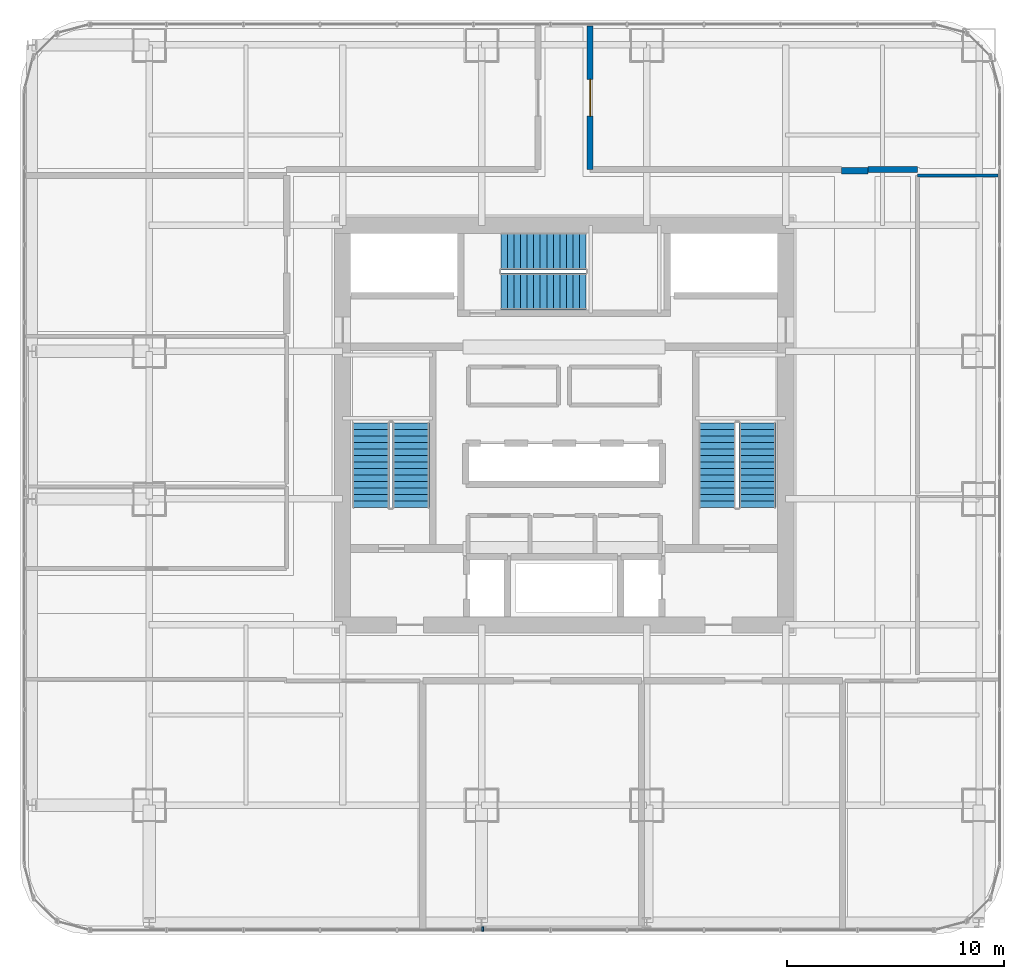
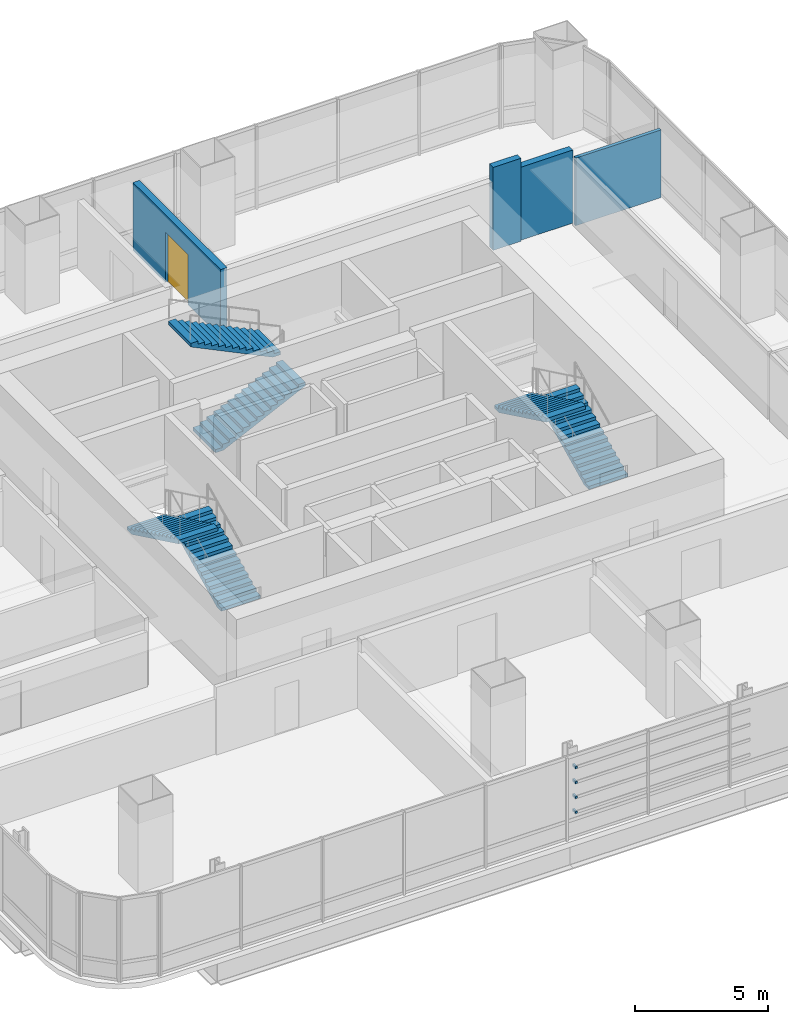
# One storey, part 30 of 36: 6 stair flights, 4 discrete accessories, 4 walls, 1 door, 1 opening, 3 elements without a shape of their own.
"""IFC4 building model written with IfcOpenShell, lengths in metres."""

from ifc_helpers import new_model, si_unit, direction, frame, frame_2d, origin, origin_2d, place, context, subcontext, project, spatial, polyline, rectangle, outline, extrude, material, layer, layer_set, type_object, element, fill, aggregate, save


model = new_model("IFC4")

# Units and contexts
model_context = context("Model", 3, precision=1e-05, world=origin(), true_north=direction((0.0, 1.0)))
body_context = subcontext(model_context, "Body", "Model", "MODEL_VIEW")
ifc_project = project(units=[si_unit("LENGTHUNIT", "METRE"), si_unit("AREAUNIT", "SQUARE_METRE"), si_unit("VOLUMEUNIT", "CUBIC_METRE"), si_unit("PLANEANGLEUNIT", "RADIAN"), si_unit("MASSUNIT", "GRAM", prefix="KILO")], contexts=[model_context])

# Site, building, storey
site_placement = place(None, origin())
site = spatial("IfcSite", under=ifc_project, at=site_placement, CompositionType="ELEMENT")
building_placement = place(site_placement, origin())
building = spatial("IfcBuilding", under=site, at=building_placement, Name="Punatoya Terracotta Tower", CompositionType="ELEMENT")
storey_placement = place(building_placement, frame((0.0, 0.0, 48.449951171875)))
storey = spatial("IfcBuildingStorey", under=building, at=storey_placement, Name="L10", CompositionType="ELEMENT", Elevation=48.449951171875)

# Wall, opening, door
ifc_material_1 = material(Name="Concrete C40/50", Category="concrete")
ifc_layer_1 = layer(ifc_material_1, 0.280029296875)
ifc_layer_set_1 = layer_set([ifc_layer_1], Name="Concrete C40/50")
wall_type_1 = type_object("IfcWallType", Name="WL-AUD-280", PredefinedType="SOLIDWALL", material=ifc_layer_set_1)
wall_1_placement = place(storey_placement, frame((1.199951171875, 11.77001953125, 0.0), z_axis=(0.0, 0.0, 1.0), x_axis=(0.0, 1.0, 0.0)))
wall_1 = element("IfcWall", 1, at=wall_1_placement, inside=storey, type_object=wall_type_1, Name="L10 Open-Plan Client Dining Salon Partition 38", PredefinedType="SOLIDWALL", context=body_context, shape_type="SweptSolid", body=[
    extrude(rectangle(XDim=6.60009765625, YDim=0.280029296875, at=frame_2d((3.300048828125, 0.0))), origin(), (0.0, 0.0, 1.0), 3.10400390625),
])
opening_placement = place(wall_1_placement, frame((2.449951171875, 0.0, 0.0)))
opening = element("IfcOpeningElement", 2, at=opening_placement, cuts=wall_1, Name="Opening FD-D1", PredefinedType="OPENING", context=body_context, shape_type="SweptSolid", body=[
    extrude(rectangle(XDim=1.699951171875, YDim=2.300048828125, at=frame_2d((0.85009765625, 1.14990234375))), frame((0.0, 0.14990234375, 0.0), z_axis=(0.0, -1.0, 0.0), x_axis=(1.0, 0.0, 0.0)), (0.0, 0.0, 1.0), 0.300048828125),
])
ifc_material_2 = material(Name="Timber Teak Veneer Fire Leaf", Category="wood")
door_type = type_object("IfcDoorType", Name="DR-DIN-1700", OperationType="NOTDEFINED", PredefinedType="DOOR", material=ifc_material_2)
door_placement = place(opening_placement, origin())
door = element("IfcDoor", 3, at=door_placement, inside=storey, type_object=door_type, Name="L10 Open-Plan Client Dining Salon Fire Door", OperationType="DOUBLE_DOOR_SINGLE_SWING", OverallHeight=2.300048828125, OverallWidth=1.699951171875, PredefinedType="DOOR", context=body_context, shape_type="SweptSolid", body=[
    extrude(rectangle(XDim=1.699951171875, YDim=2.300048828125, at=frame_2d((0.85009765625, 1.14990234375))), frame((0.0, 0.02490234375, 0.0), z_axis=(0.0, -1.0, 0.0), x_axis=(1.0, 0.0, 0.0)), (0.0, 0.0, 1.0), 0.050048828125),
])
fill(opening, door)

# Walls
wall_2_placement = place(storey_placement, frame((16.27001953125, 11.77001953125, 0.0), z_axis=(0.0, 0.0, 1.0), x_axis=(-1.0, 0.0, 0.0)))
element("IfcWall", 4, at=wall_2_placement, inside=storey, type_object=wall_type_1, Name="L10 Open-Plan Client Dining Salon Partition 39", PredefinedType="SOLIDWALL", context=body_context, shape_type="SweptSolid", body=[
    extrude(rectangle(XDim=2.2900390625, YDim=0.280029296875, at=frame_2d((1.14501953125, 0.0))), origin(), (0.0, 0.0, 1.0), 3.35400390625),
])
wall_3_placement = place(storey_placement, frame((13.97998046875, 11.7099609375, 0.0), z_axis=(0.0, 0.0, 1.0), x_axis=(-1.0, 0.0, 0.0)))
element("IfcWall", 5, at=wall_3_placement, inside=storey, type_object=wall_type_1, Name="L10 Open-Plan Client Dining Salon Partition 40", PredefinedType="SOLIDWALL", context=body_context, shape_type="SweptSolid", body=[
    extrude(rectangle(XDim=1.2099609375, YDim=0.280029296875, at=frame_2d((0.60498046875, 0.0))), origin(), (0.0, 0.0, 1.0), 3.81005859375),
])
ifc_material_3 = material(Name="Acoustic Gypsum + Steel Stud", Category="steel")
ifc_layer_2 = layer(ifc_material_3, 0.139892578125)
ifc_layer_set_2 = layer_set([ifc_layer_2], Name="Acoustic Gypsum + Steel Stud")
wall_type_2 = type_object("IfcWallType", Name="WL-OFF-140", PredefinedType="PARTITIONING", material=ifc_layer_set_2)
wall_4_placement = place(storey_placement, frame((16.27001953125, 11.489990234375, 0.0), z_axis=(0.0, 0.0, 1.0), x_axis=(1.0, 0.0, 0.0)))
element("IfcWall", 6, at=wall_4_placement, inside=storey, type_object=wall_type_2, Name="L10 Open-Plan Waterfront Club Lounge Partition 32", PredefinedType="PARTITIONING", context=body_context, shape_type="SweptSolid", body=[
    extrude(rectangle(XDim=3.699951171875, YDim=0.139892578125, at=frame_2d((1.85009765625, 0.0))), origin(), (0.0, 0.0, 1.0), 3.10400390625),
])

# Stair, stair flights
stair_type_1 = type_object("IfcStairType", Name="STR-CORE-1550", PredefinedType="HALF_TURN_STAIR", material=ifc_material_1)
stair_1_placement = place(storey_placement, origin())
stair_1 = element("IfcStair", 7, at=stair_1_placement, inside=storey, type_object=stair_type_1, Name="L10 Protected Core Exit Stair ST-1", PredefinedType="HALF_TURN_STAIR")
stair_flight_type_1 = type_object("IfcStairFlightType", Name="SFL-CORE-1550", PredefinedType="STRAIGHT", material=ifc_material_1)
stair_flight_1_placement = place(storey_placement, frame((-7.050048828125, -3.800048828125, 0.0), z_axis=(0.0, 0.0, 1.0), x_axis=(0.0, 1.0, 0.0)))
stair_flight_1 = element("IfcStairFlight", 8, at=stair_flight_1_placement, type_object=stair_flight_type_1, Name="ST-1 flight 1", NumberOfRisers=14, NumberOfTreads=13, PredefinedType="STRAIGHT", RiserHeight=0.144642857, TreadLength=0.3, context=body_context, shape_type="SweptSolid", body=[
    extrude(outline(polyline([(0.0, 0.0), (0.0, 0.14453125), (0.300048828125, 0.14453125), (0.300048828125, 0.289306640625), (0.60009765625, 0.289306640625), (0.60009765625, 0.433837890625), (0.89990234375, 0.433837890625), (0.89990234375, 0.57861328125), (1.199951171875, 0.57861328125), (1.199951171875, 0.72314453125), (1.5, 0.72314453125), (1.5, 0.867919921875), (1.800048828125, 0.867919921875), (1.800048828125, 1.012451171875), (2.10009765625, 1.012451171875), (2.10009765625, 1.1572265625), (2.39990234375, 1.1572265625), (2.39990234375, 1.3017578125), (2.699951171875, 1.3017578125), (2.699951171875, 1.446533203125), (3.0, 1.446533203125), (3.0, 1.591064453125), (3.300048828125, 1.591064453125), (3.300048828125, 1.735595703125), (3.60009765625, 1.735595703125), (3.60009765625, 1.88037109375), (3.89990234375, 1.88037109375), (3.89990234375, 2.02490234375), (3.89990234375, 1.7138671875), (0.34521484375, 0.0), (0.0, 0.0)])), frame((0.0, 0.85009765625, 0.0), z_axis=(0.0, -1.0, 0.0), x_axis=(1.0, 0.0, 0.0)), (0.0, 0.0, 1.0), 1.699951171875),
])
stair_flight_2_placement = place(storey_placement, frame((-8.89990234375, 0.10009765625, 2.025146484375), z_axis=(0.0, 0.0, 1.0), x_axis=(0.0, -1.0, 0.0)))
stair_flight_2 = element("IfcStairFlight", 9, at=stair_flight_2_placement, type_object=stair_flight_type_1, Name="ST-1 flight 2", NumberOfRisers=14, NumberOfTreads=13, PredefinedType="STRAIGHT", RiserHeight=0.144642857, TreadLength=0.3, context=body_context, shape_type="SweptSolid", body=[
    extrude(outline(polyline([(0.0, 0.0), (0.0, 0.14453125), (0.300048828125, 0.14453125), (0.300048828125, 0.289306640625), (0.60009765625, 0.289306640625), (0.60009765625, 0.433837890625), (0.89990234375, 0.433837890625), (0.89990234375, 0.57861328125), (1.199951171875, 0.57861328125), (1.199951171875, 0.72314453125), (1.5, 0.72314453125), (1.5, 0.867919921875), (1.800048828125, 0.867919921875), (1.800048828125, 1.012451171875), (2.10009765625, 1.012451171875), (2.10009765625, 1.1572265625), (2.39990234375, 1.1572265625), (2.39990234375, 1.3017578125), (2.699951171875, 1.3017578125), (2.699951171875, 1.446533203125), (3.0, 1.446533203125), (3.0, 1.591064453125), (3.300048828125, 1.591064453125), (3.300048828125, 1.735595703125), (3.60009765625, 1.735595703125), (3.60009765625, 1.88037109375), (3.89990234375, 1.88037109375), (3.89990234375, 2.02490234375), (3.89990234375, 1.7138671875), (0.34521484375, 0.0), (0.0, 0.0)])), frame((0.0, 0.85009765625, 0.0), z_axis=(0.0, -1.0, 0.0), x_axis=(1.0, 0.0, 0.0)), (0.0, 0.0, 1.0), 1.699951171875),
])
aggregate(stair_1, [stair_flight_1, stair_flight_2])

stair_type_2 = type_object("IfcStairType", Name="STR-LOB-1650", PredefinedType="HALF_TURN_STAIR", material=ifc_material_1)
stair_2_placement = place(storey_placement, origin())
stair_2 = element("IfcStair", 10, at=stair_2_placement, inside=storey, type_object=stair_type_2, Name="L10 Protected Core Exit Stair ST-2", PredefinedType="HALF_TURN_STAIR")
stair_flight_type_2 = type_object("IfcStairFlightType", Name="SFL-LOB-1650", PredefinedType="STRAIGHT", material=ifc_material_1)
stair_flight_3_placement = place(storey_placement, frame((8.89990234375, -3.800048828125, 0.0), z_axis=(0.0, 0.0, 1.0), x_axis=(0.0, 1.0, 0.0)))
stair_flight_3 = element("IfcStairFlight", 11, at=stair_flight_3_placement, type_object=stair_flight_type_2, Name="ST-2 flight 1", NumberOfRisers=14, NumberOfTreads=13, PredefinedType="STRAIGHT", RiserHeight=0.144642857, TreadLength=0.3, context=body_context, shape_type="SweptSolid", body=[
    extrude(outline(polyline([(0.0, 0.0), (0.0, 0.14453125), (0.300048828125, 0.14453125), (0.300048828125, 0.289306640625), (0.60009765625, 0.289306640625), (0.60009765625, 0.433837890625), (0.89990234375, 0.433837890625), (0.89990234375, 0.57861328125), (1.199951171875, 0.57861328125), (1.199951171875, 0.72314453125), (1.5, 0.72314453125), (1.5, 0.867919921875), (1.800048828125, 0.867919921875), (1.800048828125, 1.012451171875), (2.10009765625, 1.012451171875), (2.10009765625, 1.1572265625), (2.39990234375, 1.1572265625), (2.39990234375, 1.3017578125), (2.699951171875, 1.3017578125), (2.699951171875, 1.446533203125), (3.0, 1.446533203125), (3.0, 1.591064453125), (3.300048828125, 1.591064453125), (3.300048828125, 1.735595703125), (3.60009765625, 1.735595703125), (3.60009765625, 1.88037109375), (3.89990234375, 1.88037109375), (3.89990234375, 2.02490234375), (3.89990234375, 1.7138671875), (0.34521484375, 0.0), (0.0, 0.0)])), frame((0.0, 0.85009765625, 0.0), z_axis=(0.0, -1.0, 0.0), x_axis=(1.0, 0.0, 0.0)), (0.0, 0.0, 1.0), 1.699951171875),
])
stair_flight_4_placement = place(storey_placement, frame((7.050048828125, 0.10009765625, 2.025146484375), z_axis=(0.0, 0.0, 1.0), x_axis=(0.0, -1.0, 0.0)))
stair_flight_4 = element("IfcStairFlight", 12, at=stair_flight_4_placement, type_object=stair_flight_type_2, Name="ST-2 flight 2", NumberOfRisers=14, NumberOfTreads=13, PredefinedType="STRAIGHT", RiserHeight=0.144642857, TreadLength=0.3, context=body_context, shape_type="SweptSolid", body=[
    extrude(outline(polyline([(0.0, 0.0), (0.0, 0.14453125), (0.300048828125, 0.14453125), (0.300048828125, 0.289306640625), (0.60009765625, 0.289306640625), (0.60009765625, 0.433837890625), (0.89990234375, 0.433837890625), (0.89990234375, 0.57861328125), (1.199951171875, 0.57861328125), (1.199951171875, 0.72314453125), (1.5, 0.72314453125), (1.5, 0.867919921875), (1.800048828125, 0.867919921875), (1.800048828125, 1.012451171875), (2.10009765625, 1.012451171875), (2.10009765625, 1.1572265625), (2.39990234375, 1.1572265625), (2.39990234375, 1.3017578125), (2.699951171875, 1.3017578125), (2.699951171875, 1.446533203125), (3.0, 1.446533203125), (3.0, 1.591064453125), (3.300048828125, 1.591064453125), (3.300048828125, 1.735595703125), (3.60009765625, 1.735595703125), (3.60009765625, 1.88037109375), (3.89990234375, 1.88037109375), (3.89990234375, 2.02490234375), (3.89990234375, 1.7138671875), (0.34521484375, 0.0), (0.0, 0.0)])), frame((0.0, 0.85009765625, 0.0), z_axis=(0.0, -1.0, 0.0), x_axis=(1.0, 0.0, 0.0)), (0.0, 0.0, 1.0), 1.699951171875),
])
aggregate(stair_2, [stair_flight_3, stair_flight_4])

stair_type_3 = type_object("IfcStairType", Name="STR-TER-1450", PredefinedType="HALF_TURN_STAIR", material=ifc_material_1)
stair_3_placement = place(storey_placement, origin())
stair_3 = element("IfcStair", 13, at=stair_3_placement, inside=storey, type_object=stair_type_3, Name="L10 Protected Core Exit Stair ST-3", PredefinedType="HALF_TURN_STAIR")
stair_flight_type_3 = type_object("IfcStairFlightType", Name="SFL-TER-1450", PredefinedType="STRAIGHT", material=ifc_material_1)
stair_flight_5_placement = place(storey_placement, frame((-2.89990234375, 6.14990234375, 0.0), z_axis=(0.0, 0.0, 1.0), x_axis=(1.0, 0.0, 0.0)))
stair_flight_5 = element("IfcStairFlight", 14, at=stair_flight_5_placement, type_object=stair_flight_type_3, Name="ST-3 flight 1", NumberOfRisers=14, NumberOfTreads=13, PredefinedType="STRAIGHT", RiserHeight=0.144642857, TreadLength=0.3, context=body_context, shape_type="SweptSolid", body=[
    extrude(outline(polyline([(0.0, 0.0), (0.0, 0.14453125), (0.300048828125, 0.14453125), (0.300048828125, 0.289306640625), (0.60009765625, 0.289306640625), (0.60009765625, 0.433837890625), (0.89990234375, 0.433837890625), (0.89990234375, 0.57861328125), (1.199951171875, 0.57861328125), (1.199951171875, 0.72314453125), (1.5, 0.72314453125), (1.5, 0.867919921875), (1.800048828125, 0.867919921875), (1.800048828125, 1.012451171875), (2.10009765625, 1.012451171875), (2.10009765625, 1.1572265625), (2.39990234375, 1.1572265625), (2.39990234375, 1.3017578125), (2.699951171875, 1.3017578125), (2.699951171875, 1.446533203125), (3.0, 1.446533203125), (3.0, 1.591064453125), (3.300048828125, 1.591064453125), (3.300048828125, 1.735595703125), (3.60009765625, 1.735595703125), (3.60009765625, 1.88037109375), (3.89990234375, 1.88037109375), (3.89990234375, 2.02490234375), (3.89990234375, 1.7138671875), (0.34521484375, 0.0), (0.0, 0.0)])), frame((0.0, 0.85009765625, 0.0), z_axis=(0.0, -1.0, 0.0), x_axis=(1.0, 0.0, 0.0)), (0.0, 0.0, 1.0), 1.699951171875),
])
stair_flight_6_placement = place(storey_placement, frame((1.0, 8.0, 2.025146484375), z_axis=(0.0, 0.0, 1.0), x_axis=(-1.0, 0.0, 0.0)))
stair_flight_6 = element("IfcStairFlight", 15, at=stair_flight_6_placement, type_object=stair_flight_type_3, Name="ST-3 flight 2", NumberOfRisers=14, NumberOfTreads=13, PredefinedType="STRAIGHT", RiserHeight=0.144642857, TreadLength=0.3, context=body_context, shape_type="SweptSolid", body=[
    extrude(outline(polyline([(0.0, 0.0), (0.0, 0.14453125), (0.300048828125, 0.14453125), (0.300048828125, 0.289306640625), (0.60009765625, 0.289306640625), (0.60009765625, 0.433837890625), (0.89990234375, 0.433837890625), (0.89990234375, 0.57861328125), (1.199951171875, 0.57861328125), (1.199951171875, 0.72314453125), (1.5, 0.72314453125), (1.5, 0.867919921875), (1.800048828125, 0.867919921875), (1.800048828125, 1.012451171875), (2.10009765625, 1.012451171875), (2.10009765625, 1.1572265625), (2.39990234375, 1.1572265625), (2.39990234375, 1.3017578125), (2.699951171875, 1.3017578125), (2.699951171875, 1.446533203125), (3.0, 1.446533203125), (3.0, 1.591064453125), (3.300048828125, 1.591064453125), (3.300048828125, 1.735595703125), (3.60009765625, 1.735595703125), (3.60009765625, 1.88037109375), (3.89990234375, 1.88037109375), (3.89990234375, 2.02490234375), (3.89990234375, 1.7138671875), (0.34521484375, 0.0), (0.0, 0.0)])), frame((0.0, 0.85009765625, 0.0), z_axis=(0.0, -1.0, 0.0), x_axis=(1.0, 0.0, 0.0)), (0.0, 0.0, 1.0), 1.699951171875),
])
aggregate(stair_3, [stair_flight_5, stair_flight_6])

# Discrete accessories
ifc_material_4 = material(Name="Steel S355", Category="steel")
discrete_accessory_type = type_object("IfcDiscreteAccessoryType", Name="ACC-BRK-220", PredefinedType="BRACKET", material=ifc_material_4)
for number, where, z_axis, x_axis, name in (
    (16, (-3.75, -23.193115234375, 1.10009765625), (0.0, 0.0, 1.0), (1.0, 0.0, 0.0), "L10 Baguette Louvre Column Bracket BAG-L10-S-01"),
    (17, (-3.75, -23.193115234375, 1.78662109375), (0.0, 0.0, 1.0), (1.0, 0.0, 0.0), "L10 Baguette Louvre Column Bracket BAG-L10-S-02"),
    (18, (-3.75, -23.193115234375, 2.473388671875), (0.0, 0.0, 1.0), (1.0, 0.0, 0.0), "L10 Baguette Louvre Column Bracket BAG-L10-S-03"),
    (19, (-3.75, -23.193115234375, 3.159912109375), (0.0, 0.0, 1.0), (1.0, 0.0, 0.0), "L10 Baguette Louvre Column Bracket BAG-L10-S-04"),
):
    element("IfcDiscreteAccessory", number, at=place(storey_placement, frame(where, z_axis=z_axis, x_axis=x_axis)), inside=storey, type_object=discrete_accessory_type, Name=name, PredefinedType="BRACKET", context=body_context, shape_type="SweptSolid", body=[
        extrude(rectangle(XDim=0.090087890625, YDim=0.219970703125, at=origin_2d()), origin(), (0.0, 0.0, 1.0), 0.10009765625),
    ])

save(model, "model.ifc")
